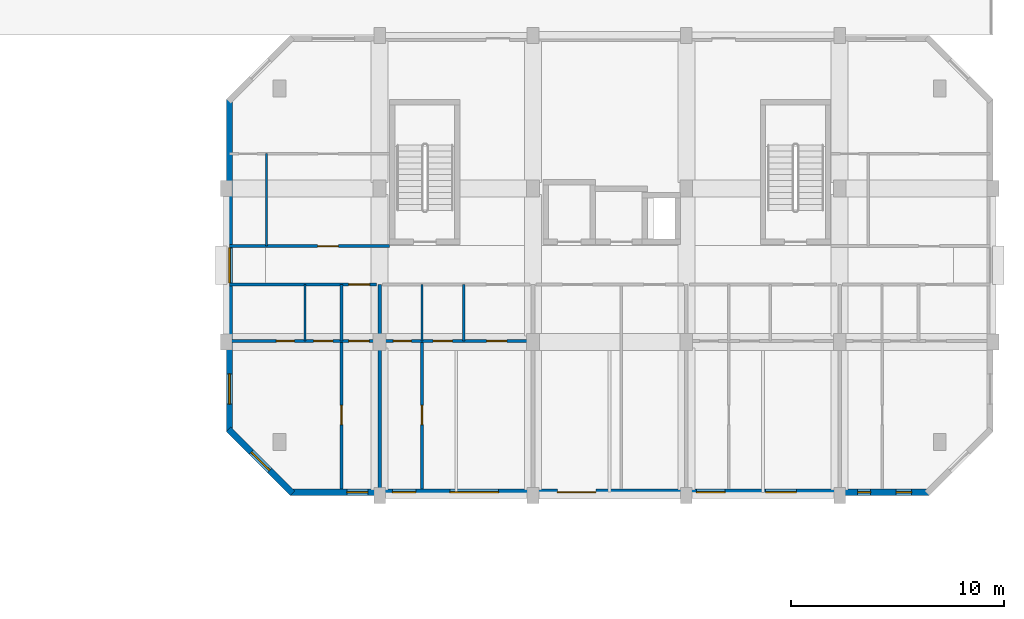
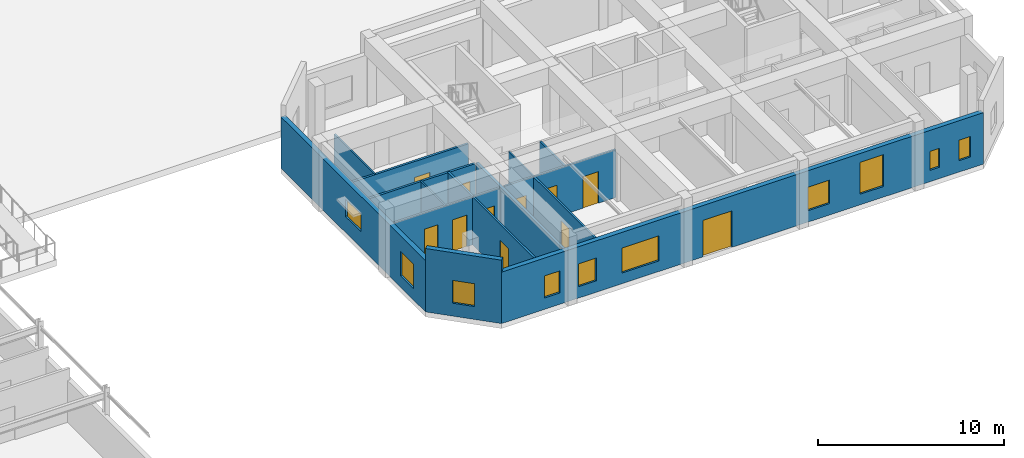
# One storey, part 65 of 85: 15 walls, 11 doors, 10 windows, 21 openings.
"""IFC4 building model written with IfcOpenShell, lengths in metres."""

from ifc_helpers import new_model, si_unit, direction, frame, frame_2d, origin, place, context, subcontext, project, spatial, rectangle, extrude, material, layer, layer_set, type_object, element, fill, save


model = new_model("IFC4")

# Units and contexts
model_context = context("Model", 3, precision=1e-05, world=origin(), true_north=direction((0.0, 1.0)))
body_context = subcontext(model_context, "Body", "Model", "MODEL_VIEW")
ifc_project = project(units=[si_unit("LENGTHUNIT", "METRE"), si_unit("AREAUNIT", "SQUARE_METRE"), si_unit("VOLUMEUNIT", "CUBIC_METRE"), si_unit("PLANEANGLEUNIT", "RADIAN"), si_unit("MASSUNIT", "GRAM", prefix="KILO")], contexts=[model_context])

# Site, building, storey
site_placement = place(None, origin())
site = spatial("IfcSite", under=ifc_project, at=site_placement, CompositionType="ELEMENT")
building_placement = place(site_placement, origin())
building = spatial("IfcBuilding", under=site, at=building_placement, Name="Ochrevale Crest", CompositionType="ELEMENT")
storey_placement = place(building_placement, origin())
storey = spatial("IfcBuildingStorey", under=building, at=storey_placement, Name="L00", CompositionType="ELEMENT", Elevation=0.0)

# Wall, opening, door
ifc_material_1 = material(Name="Gypsum plasterboard", Category="gypsum")
ifc_layer_1 = layer(ifc_material_1, 0.139892578125)
ifc_layer_set_1 = layer_set([ifc_layer_1], Name="Gypsum plasterboard")
wall_type_1 = type_object("IfcWallType", Name="WL-COR-140", PredefinedType="PARTITIONING", material=ifc_layer_set_1)
wall_1_placement = place(storey_placement, frame((129.739990234375, 24.300048828125, 0.0), z_axis=(0.0, 0.0, 1.0), x_axis=(1.0, 0.0, 0.0)))
wall_1 = element("IfcWall", 1, at=wall_1_placement, inside=storey, type_object=wall_type_1, Name="Apartment C-L00-U1 corridor wall", PredefinedType="PARTITIONING", context=body_context, shape_type="SweptSolid", body=[
    extrude(rectangle(XDim=6.919921875, YDim=0.139892578125, at=frame_2d((3.4599609375, 0.0))), origin(), (0.0, 0.0, 1.0), 3.14990234375),
])
opening_1_placement = place(wall_1_placement, frame((6.5849609375, 0.0, 0.0), z_axis=(0.0, 0.0, 1.0), x_axis=(-1.0, 0.0, 0.0)))
opening_1 = element("IfcOpeningElement", 2, at=opening_1_placement, cuts=wall_1, Name="Opening FD01", PredefinedType="OPENING", context=body_context, shape_type="SweptSolid", body=[
    extrude(rectangle(XDim=0.97998046875, YDim=2.10009765625, at=frame_2d((0.489990234375, 1.050048828125))), frame((0.0, 0.080078125, 0.0), z_axis=(0.0, -1.0, 0.0), x_axis=(1.0, 0.0, 0.0)), (0.0, 0.0, 1.0), 0.159912109375),
])
ifc_material_2 = material(Name="Solid-core FSC hardwood", Category="wood")
door_type_1 = type_object("IfcDoorType", Name="DR-APT-950", OperationType="NOTDEFINED", PredefinedType="DOOR", material=ifc_material_2)
door_1_placement = place(opening_1_placement, origin())
door_1 = element("IfcDoor", 3, at=door_1_placement, inside=storey, type_object=door_type_1, Name="Apartment C-L00-U1 entrance door", OperationType="SINGLE_SWING_RIGHT", OverallHeight=2.10009765625, OverallWidth=0.97998046875, PredefinedType="DOOR", context=body_context, shape_type="SweptSolid", body=[
    extrude(rectangle(XDim=0.97998046875, YDim=2.10009765625, at=frame_2d((0.489990234375, 1.050048828125))), frame((0.0, 0.02490234375, 0.0), z_axis=(0.0, -1.0, 0.0), x_axis=(1.0, 0.0, 0.0)), (0.0, 0.0, 1.0), 0.050048828125),
])
fill(opening_1, door_1)

wall_2_placement = place(storey_placement, frame((129.739990234375, 26.10009765625, 0.0), z_axis=(0.0, 0.0, 1.0), x_axis=(1.0, 0.0, 0.0)))
wall_2 = element("IfcWall", 4, at=wall_2_placement, inside=storey, type_object=wall_type_1, Name="Suite C-L00-CW corridor wall", PredefinedType="PARTITIONING", context=body_context, shape_type="SweptSolid", body=[
    extrude(rectangle(XDim=7.52001953125, YDim=0.139892578125, at=frame_2d((3.760009765625, 0.0))), origin(), (0.0, 0.0, 1.0), 3.14990234375),
])
opening_2_placement = place(wall_2_placement, frame((4.14501953125, 0.0, 0.0)))
opening_2 = element("IfcOpeningElement", 5, at=opening_2_placement, cuts=wall_2, Name="Opening FD01", PredefinedType="OPENING", context=body_context, shape_type="SweptSolid", body=[
    extrude(rectangle(XDim=0.97998046875, YDim=2.10009765625, at=frame_2d((0.489990234375, 1.050048828125))), frame((0.0, 0.080078125, 0.0), z_axis=(0.0, -1.0, 0.0), x_axis=(1.0, 0.0, 0.0)), (0.0, 0.0, 1.0), 0.159912109375),
])
door_2_placement = place(opening_2_placement, origin())
door_2 = element("IfcDoor", 6, at=door_2_placement, inside=storey, type_object=door_type_1, Name="Suite C-L00-CW entrance door", OperationType="SINGLE_SWING_LEFT", OverallHeight=2.10009765625, OverallWidth=0.97998046875, PredefinedType="DOOR", context=body_context, shape_type="SweptSolid", body=[
    extrude(rectangle(XDim=0.97998046875, YDim=2.10009765625, at=frame_2d((0.489990234375, 1.050048828125))), frame((0.0, 0.02490234375, 0.0), z_axis=(0.0, -1.0, 0.0), x_axis=(1.0, 0.0, 0.0)), (0.0, 0.0, 1.0), 0.050048828125),
])
fill(opening_2, door_2)

# Wall, openings, door, windows
ifc_material_3 = material(Name="Clay face brickwork", Category="masonry")
ifc_layer_2 = layer(ifc_material_3, 0.2900390625)
ifc_layer_set_2 = layer_set([ifc_layer_2], Name="Clay face brickwork")
wall_type_2 = type_object("IfcWallType", Name="WL-EXT-BRICK-290", PredefinedType="SOLIDWALL", material=ifc_layer_set_2)
wall_3_placement = place(storey_placement, frame((132.60009765625, 14.544921875, 0.0), z_axis=(0.0, 0.0, 1.0), x_axis=(1.0, 0.0, 0.0)))
wall_3 = element("IfcWall", 7, at=wall_3_placement, inside=storey, type_object=wall_type_2, Name="Block C L00 external facade wall E1", PredefinedType="SOLIDWALL", context=body_context, shape_type="SweptSolid", body=[
    extrude(rectangle(XDim=30.0, YDim=0.2900390625, at=frame_2d((15.0, 0.0))), origin(), (0.0, 0.0, 1.0), 3.3798828125),
])
opening_3_placement = place(wall_3_placement, frame((14.35009765625, 0.0, 0.0), z_axis=(0.0, 0.0, 1.0), x_axis=(-1.0, 0.0, 0.0)))
opening_3 = element("IfcOpeningElement", 8, at=opening_3_placement, cuts=wall_3, Name="Opening ED01", PredefinedType="OPENING", context=body_context, shape_type="SweptSolid", body=[
    extrude(rectangle(XDim=1.800048828125, YDim=2.39990234375, at=frame_2d((0.89990234375, 1.199951171875))), frame((0.0, 0.155029296875, 0.0), z_axis=(0.0, -1.0, 0.0), x_axis=(1.0, 0.0, 0.0)), (0.0, 0.0, 1.0), 0.31005859375),
])
opening_4_placement = place(wall_3_placement, frame((2.66259765625, 0.0, 0.75)))
opening_4 = element("IfcOpeningElement", 9, at=opening_4_placement, cuts=wall_3, Name="Opening W04", PredefinedType="OPENING", context=body_context, shape_type="SweptSolid", body=[
    extrude(rectangle(XDim=0.97998046875, YDim=1.449951171875, at=frame_2d((0.489990234375, 0.72509765625))), frame((0.0, 0.155029296875, 0.0), z_axis=(0.0, -1.0, 0.0), x_axis=(1.0, 0.0, 0.0)), (0.0, 0.0, 1.0), 0.31005859375),
])
opening_5_placement = place(wall_3_placement, frame((4.797607421875, 0.0, 0.75)))
opening_5 = element("IfcOpeningElement", 10, at=opening_5_placement, cuts=wall_3, Name="Opening W05", PredefinedType="OPENING", context=body_context, shape_type="SweptSolid", body=[
    extrude(rectangle(XDim=1.10009765625, YDim=1.5, at=frame_2d((0.550048828125, 0.75))), frame((0.0, 0.155029296875, 0.0), z_axis=(0.0, -1.0, 0.0), x_axis=(1.0, 0.0, 0.0)), (0.0, 0.0, 1.0), 0.31005859375),
])
opening_6_placement = place(wall_3_placement, frame((7.492431640625, 0.0, 0.699951171875)))
opening_6 = element("IfcOpeningElement", 11, at=opening_6_placement, cuts=wall_3, Name="Opening W14", PredefinedType="OPENING", context=body_context, shape_type="SweptSolid", body=[
    extrude(rectangle(XDim=2.300048828125, YDim=1.64990234375, at=frame_2d((1.14990234375, 0.824951171875))), frame((0.0, 0.155029296875, 0.0), z_axis=(0.0, -1.0, 0.0), x_axis=(1.0, 0.0, 0.0)), (0.0, 0.0, 1.0), 0.31005859375),
])
opening_7_placement = place(wall_3_placement, frame((19.077392578125, 0.0, 0.75)))
opening_7 = element("IfcOpeningElement", 12, at=opening_7_placement, cuts=wall_3, Name="Opening W07", PredefinedType="OPENING", context=body_context, shape_type="SweptSolid", body=[
    extrude(rectangle(XDim=1.340087890625, YDim=1.550048828125, at=frame_2d((0.669921875, 0.77490234375))), frame((0.0, 0.155029296875, 0.0), z_axis=(0.0, -1.0, 0.0), x_axis=(1.0, 0.0, 0.0)), (0.0, 0.0, 1.0), 0.31005859375),
])
opening_8_placement = place(wall_3_placement, frame((22.3173828125, 0.0, 0.699951171875)))
opening_8 = element("IfcOpeningElement", 13, at=opening_8_placement, cuts=wall_3, Name="Opening W24", PredefinedType="OPENING", context=body_context, shape_type="SweptSolid", body=[
    extrude(rectangle(XDim=1.449951171875, YDim=2.10009765625, at=frame_2d((0.72509765625, 1.050048828125))), frame((0.0, 0.155029296875, 0.0), z_axis=(0.0, -1.0, 0.0), x_axis=(1.0, 0.0, 0.0)), (0.0, 0.0, 1.0), 0.31005859375),
])
opening_9_placement = place(wall_3_placement, frame((26.6474609375, 0.0, 0.75)))
opening_9 = element("IfcOpeningElement", 14, at=opening_9_placement, cuts=wall_3, Name="Opening W01", PredefinedType="OPENING", context=body_context, shape_type="SweptSolid", body=[
    extrude(rectangle(XDim=0.60009765625, YDim=1.25, at=frame_2d((0.300048828125, 0.625))), frame((0.0, 0.155029296875, 0.0), z_axis=(0.0, -1.0, 0.0), x_axis=(1.0, 0.0, 0.0)), (0.0, 0.0, 1.0), 0.31005859375),
])
opening_10_placement = place(wall_3_placement, frame((28.455078125, 0.0, 0.75)))
opening_10 = element("IfcOpeningElement", 15, at=opening_10_placement, cuts=wall_3, Name="Opening W02", PredefinedType="OPENING", context=body_context, shape_type="SweptSolid", body=[
    extrude(rectangle(XDim=0.719970703125, YDim=1.35009765625, at=frame_2d((0.35986328125, 0.675048828125))), frame((0.0, 0.155029296875, 0.0), z_axis=(0.0, -1.0, 0.0), x_axis=(1.0, 0.0, 0.0)), (0.0, 0.0, 1.0), 0.31005859375),
])
ifc_material_4 = material(Name="Anodised aluminium 6063-T5 and toughened glass", Category="aluminium")
door_type_2 = type_object("IfcDoorType", Name="DR-EXT-1800", OperationType="NOTDEFINED", PredefinedType="DOOR", material=ifc_material_4)
door_3_placement = place(opening_3_placement, origin())
door_3 = element("IfcDoor", 16, at=door_3_placement, inside=storey, type_object=door_type_2, Name="Block C main ground entrance double door", OperationType="DOUBLE_DOOR_SINGLE_SWING", OverallHeight=2.39990234375, OverallWidth=1.800048828125, PredefinedType="DOOR", context=body_context, shape_type="SweptSolid", body=[
    extrude(rectangle(XDim=1.800048828125, YDim=2.39990234375, at=frame_2d((0.89990234375, 1.199951171875))), frame((0.0, 0.02490234375, 0.0), z_axis=(0.0, -1.0, 0.0), x_axis=(1.0, 0.0, 0.0)), (0.0, 0.0, 1.0), 0.050048828125),
])
fill(opening_3, door_3)
ifc_material_5 = material(Name="Anodised aluminium 6063-T5 and low-E double glazing", Category="aluminium")
window_type_1 = type_object("IfcWindowType", Name="WIN-W01", PartitioningType="SINGLE_PANEL", PredefinedType="WINDOW", material=ifc_material_5)
window_1_placement = place(opening_9_placement, origin())
window_1 = element("IfcWindow", 17, at=window_1_placement, inside=storey, type_object=window_type_1, Name="Block C L00 Apartment C-L00-U5 Master Bedroom window", OverallHeight=1.25, OverallWidth=0.60009765625, PartitioningType="SINGLE_PANEL", PredefinedType="WINDOW", context=body_context, shape_type="SweptSolid", body=[
    extrude(rectangle(XDim=0.60009765625, YDim=1.25, at=frame_2d((0.300048828125, 0.625))), frame((0.0, 0.030029296875, 0.0), z_axis=(0.0, -1.0, 0.0), x_axis=(1.0, 0.0, 0.0)), (0.0, 0.0, 1.0), 0.06005859375),
])
fill(opening_9, window_1)
window_type_2 = type_object("IfcWindowType", Name="WIN-W02", PartitioningType="SINGLE_PANEL", PredefinedType="WINDOW", material=ifc_material_5)
window_2_placement = place(opening_10_placement, origin())
window_2 = element("IfcWindow", 18, at=window_2_placement, inside=storey, type_object=window_type_2, Name="Block C L00 Apartment C-L00-U5 One Bedroom Living Room window", OverallHeight=1.35009765625, OverallWidth=0.719970703125, PartitioningType="SINGLE_PANEL", PredefinedType="WINDOW", context=body_context, shape_type="SweptSolid", body=[
    extrude(rectangle(XDim=0.719970703125, YDim=1.35009765625, at=frame_2d((0.35986328125, 0.675048828125))), frame((0.0, 0.030029296875, 0.0), z_axis=(0.0, -1.0, 0.0), x_axis=(1.0, 0.0, 0.0)), (0.0, 0.0, 1.0), 0.06005859375),
])
fill(opening_10, window_2)
window_type_3 = type_object("IfcWindowType", Name="WIN-W04", PartitioningType="SINGLE_PANEL", PredefinedType="WINDOW", material=ifc_material_5)
window_3_placement = place(opening_4_placement, origin())
window_3 = element("IfcWindow", 19, at=window_3_placement, inside=storey, type_object=window_type_3, Name="Block C L00 Apartment C-L00-U1 Two Bedroom Living Room window", OverallHeight=1.449951171875, OverallWidth=0.97998046875, PartitioningType="SINGLE_PANEL", PredefinedType="WINDOW", context=body_context, shape_type="SweptSolid", body=[
    extrude(rectangle(XDim=0.97998046875, YDim=1.449951171875, at=frame_2d((0.489990234375, 0.72509765625))), frame((0.0, 0.030029296875, 0.0), z_axis=(0.0, -1.0, 0.0), x_axis=(1.0, 0.0, 0.0)), (0.0, 0.0, 1.0), 0.06005859375),
])
fill(opening_4, window_3)
window_type_4 = type_object("IfcWindowType", Name="WIN-W05", PartitioningType="SINGLE_PANEL", PredefinedType="WINDOW", material=ifc_material_5)
window_4_placement = place(opening_5_placement, origin())
window_4 = element("IfcWindow", 20, at=window_4_placement, inside=storey, type_object=window_type_4, Name="Block C L00 Apartment C-L00-U2 Master Bedroom window", OverallHeight=1.5, OverallWidth=1.10009765625, PartitioningType="SINGLE_PANEL", PredefinedType="WINDOW", context=body_context, shape_type="SweptSolid", body=[
    extrude(rectangle(XDim=1.10009765625, YDim=1.5, at=frame_2d((0.550048828125, 0.75))), frame((0.0, 0.030029296875, 0.0), z_axis=(0.0, -1.0, 0.0), x_axis=(1.0, 0.0, 0.0)), (0.0, 0.0, 1.0), 0.06005859375),
])
fill(opening_5, window_4)
window_type_5 = type_object("IfcWindowType", Name="WIN-W07", PartitioningType="SINGLE_PANEL", PredefinedType="WINDOW", material=ifc_material_5)
window_5_placement = place(opening_7_placement, origin())
window_5 = element("IfcWindow", 21, at=window_5_placement, inside=storey, type_object=window_type_5, Name="Block C L00 Apartment C-L00-U4 Double Bedroom window", OverallHeight=1.550048828125, OverallWidth=1.340087890625, PartitioningType="SINGLE_PANEL", PredefinedType="WINDOW", context=body_context, shape_type="SweptSolid", body=[
    extrude(rectangle(XDim=1.340087890625, YDim=1.550048828125, at=frame_2d((0.669921875, 0.77490234375))), frame((0.0, 0.030029296875, 0.0), z_axis=(0.0, -1.0, 0.0), x_axis=(1.0, 0.0, 0.0)), (0.0, 0.0, 1.0), 0.06005859375),
])
fill(opening_7, window_5)
window_type_6 = type_object("IfcWindowType", Name="WIN-W14", PartitioningType="SINGLE_PANEL", PredefinedType="WINDOW", material=ifc_material_5)
window_6_placement = place(opening_6_placement, origin())
window_6 = element("IfcWindow", 22, at=window_6_placement, inside=storey, type_object=window_type_6, Name="Block C L00 Apartment C-L00-U2 One Bedroom Living Room window", OverallHeight=1.64990234375, OverallWidth=2.300048828125, PartitioningType="SINGLE_PANEL", PredefinedType="WINDOW", context=body_context, shape_type="SweptSolid", body=[
    extrude(rectangle(XDim=2.300048828125, YDim=1.64990234375, at=frame_2d((1.14990234375, 0.824951171875))), frame((0.0, 0.030029296875, 0.0), z_axis=(0.0, -1.0, 0.0), x_axis=(1.0, 0.0, 0.0)), (0.0, 0.0, 1.0), 0.06005859375),
])
fill(opening_6, window_6)
window_type_7 = type_object("IfcWindowType", Name="WIN-W24", PartitioningType="SINGLE_PANEL", PredefinedType="WINDOW", material=ifc_material_5)
window_7_placement = place(opening_8_placement, origin())
window_7 = element("IfcWindow", 23, at=window_7_placement, inside=storey, type_object=window_type_7, Name="Block C L00 Apartment C-L00-U4 Two Bedroom Living Room window", OverallHeight=2.10009765625, OverallWidth=1.449951171875, PartitioningType="SINGLE_PANEL", PredefinedType="WINDOW", context=body_context, shape_type="SweptSolid", body=[
    extrude(rectangle(XDim=1.449951171875, YDim=2.10009765625, at=frame_2d((0.72509765625, 1.050048828125))), frame((0.0, 0.030029296875, 0.0), z_axis=(0.0, -1.0, 0.0), x_axis=(1.0, 0.0, 0.0)), (0.0, 0.0, 1.0), 0.06005859375),
])
fill(opening_8, window_7)

# Wall, openings, windows
wall_4_placement = place(storey_placement, frame((129.7451171875, 33.0, 0.0), z_axis=(0.0, 0.0, 1.0), x_axis=(0.0, -1.0, 0.0)))
wall_4 = element("IfcWall", 24, at=wall_4_placement, inside=storey, type_object=wall_type_2, Name="Block C L00 external facade wall E7", PredefinedType="SOLIDWALL", context=body_context, shape_type="SweptSolid", body=[
    extrude(rectangle(XDim=15.60009765625, YDim=0.2900390625, at=frame_2d((7.800048828125, 0.0))), origin(), (0.0, 0.0, 1.0), 3.3798828125),
])
opening_11_placement = place(wall_4_placement, frame((6.97509765625, 0.0, 1.050048828125)))
opening_11 = element("IfcOpeningElement", 25, at=opening_11_placement, cuts=wall_4, Name="Opening W19", PredefinedType="OPENING", context=body_context, shape_type="SweptSolid", body=[
    extrude(rectangle(XDim=1.64990234375, YDim=1.14990234375, at=frame_2d((0.824951171875, 0.574951171875))), frame((0.0, 0.155029296875, 0.0), z_axis=(0.0, -1.0, 0.0), x_axis=(1.0, 0.0, 0.0)), (0.0, 0.0, 1.0), 0.31005859375),
])
opening_12_placement = place(wall_4_placement, frame((12.892578125, 0.0, 0.75)))
opening_12 = element("IfcOpeningElement", 26, at=opening_12_placement, cuts=wall_4, Name="Opening W31", PredefinedType="OPENING", context=body_context, shape_type="SweptSolid", body=[
    extrude(rectangle(XDim=1.419921875, YDim=1.60009765625, at=frame_2d((0.7099609375, 0.800048828125))), frame((0.0, 0.155029296875, 0.0), z_axis=(0.0, -1.0, 0.0), x_axis=(1.0, 0.0, 0.0)), (0.0, 0.0, 1.0), 0.31005859375),
])
window_type_8 = type_object("IfcWindowType", Name="WIN-W19", PartitioningType="SINGLE_PANEL", PredefinedType="WINDOW", material=ifc_material_5)
window_8_placement = place(opening_11_placement, origin())
window_8 = element("IfcWindow", 27, at=window_8_placement, inside=storey, type_object=window_type_8, Name="Block C L00 corridor end daylight window W", OverallHeight=1.14990234375, OverallWidth=1.64990234375, PartitioningType="SINGLE_PANEL", PredefinedType="WINDOW", context=body_context, shape_type="SweptSolid", body=[
    extrude(rectangle(XDim=1.64990234375, YDim=1.14990234375, at=frame_2d((0.824951171875, 0.574951171875))), frame((0.0, 0.030029296875, 0.0), z_axis=(0.0, -1.0, 0.0), x_axis=(1.0, 0.0, 0.0)), (0.0, 0.0, 1.0), 0.06005859375),
])
fill(opening_11, window_8)
window_type_9 = type_object("IfcWindowType", Name="WIN-W31", PartitioningType="SINGLE_PANEL", PredefinedType="WINDOW", material=ifc_material_5)
window_9_placement = place(opening_12_placement, origin())
window_9 = element("IfcWindow", 28, at=window_9_placement, inside=storey, type_object=window_type_9, Name="Block C L00 side suite window W", OverallHeight=1.60009765625, OverallWidth=1.419921875, PartitioningType="SINGLE_PANEL", PredefinedType="WINDOW", context=body_context, shape_type="SweptSolid", body=[
    extrude(rectangle(XDim=1.419921875, YDim=1.60009765625, at=frame_2d((0.7099609375, 0.800048828125))), frame((0.0, 0.030029296875, 0.0), z_axis=(0.0, -1.0, 0.0), x_axis=(1.0, 0.0, 0.0)), (0.0, 0.0, 1.0), 0.06005859375),
])
fill(opening_12, window_9)

# Wall, opening, window
wall_5_placement = place(storey_placement, frame((129.702392578125, 17.50244140625, 0.0), z_axis=(0.0, 0.0, 1.0), x_axis=(0.707106781187, -0.707106781187, 0.0)))
wall_5 = element("IfcWall", 29, at=wall_5_placement, inside=storey, type_object=wall_type_2, Name="Block C L00 external facade wall E8", PredefinedType="SOLIDWALL", context=body_context, shape_type="SweptSolid", body=[
    extrude(rectangle(XDim=4.24267578125, YDim=0.2900390625, at=frame_2d((2.121337890625, 0.0))), origin(), (0.0, 0.0, 1.0), 4.175048828125),
])
opening_13_placement = place(wall_5_placement, frame((1.51123046875, 0.0, 0.85009765625)))
opening_13 = element("IfcOpeningElement", 30, at=opening_13_placement, cuts=wall_5, Name="Opening W06", PredefinedType="OPENING", context=body_context, shape_type="SweptSolid", body=[
    extrude(rectangle(XDim=1.219970703125, YDim=1.5, at=frame_2d((0.60986328125, 0.75))), frame((0.0, 0.155029296875, 0.0), z_axis=(0.0, -1.0, 0.0), x_axis=(1.0, 0.0, 0.0)), (0.0, 0.0, 1.0), 0.31005859375),
])
window_type_10 = type_object("IfcWindowType", Name="WIN-W06", PartitioningType="SINGLE_PANEL", PredefinedType="WINDOW", material=ifc_material_5)
window_10_placement = place(opening_13_placement, origin())
window_10 = element("IfcWindow", 31, at=window_10_placement, inside=storey, type_object=window_type_10, Name="Block C L00 corner room casement window 8", OverallHeight=1.5, OverallWidth=1.219970703125, PartitioningType="SINGLE_PANEL", PredefinedType="WINDOW", context=body_context, shape_type="SweptSolid", body=[
    extrude(rectangle(XDim=1.219970703125, YDim=1.5, at=frame_2d((0.60986328125, 0.75))), frame((0.0, 0.030029296875, 0.0), z_axis=(0.0, -1.0, 0.0), x_axis=(1.0, 0.0, 0.0)), (0.0, 0.0, 1.0), 0.06005859375),
])
fill(opening_13, window_10)

# Wall
ifc_layer_3 = layer(ifc_material_1, 0.1201171875)
ifc_layer_set_3 = layer_set([ifc_layer_3], Name="Gypsum plasterboard")
wall_type_3 = type_object("IfcWallType", Name="WL-PART-120", PredefinedType="PARTITIONING", material=ifc_layer_set_3)
wall_6_placement = place(storey_placement, frame((135.010009765625, 21.64990234375, 0.0), z_axis=(0.0, 0.0, 1.0), x_axis=(0.0, 1.0, 0.0)))
element("IfcWall", 32, at=wall_6_placement, inside=storey, type_object=wall_type_3, Name="Apartment C-L00-U1 kitchen-foyer wall", PredefinedType="PARTITIONING", context=body_context, shape_type="SweptSolid", body=[
    extrude(rectangle(XDim=2.650146484375, YDim=0.1201171875, at=frame_2d((1.3251953125, 0.0))), origin(), (0.0, 0.0, 1.0), 3.14990234375),
])

# Wall, openings, doors
wall_7_placement = place(storey_placement, frame((129.739990234375, 21.64990234375, 0.0), z_axis=(0.0, 0.0, 1.0), x_axis=(1.0, 0.0, 0.0)))
wall_7 = element("IfcWall", 33, at=wall_7_placement, inside=storey, type_object=wall_type_3, Name="Apartment C-L00-U1 central partition", PredefinedType="PARTITIONING", context=body_context, shape_type="SweptSolid", body=[
    extrude(rectangle(XDim=6.919921875, YDim=0.1201171875, at=frame_2d((3.4599609375, 0.0))), origin(), (0.0, 0.0, 1.0), 3.14990234375),
])
opening_14_placement = place(wall_7_placement, frame((2.2099609375, 0.0, 0.0)))
opening_14 = element("IfcOpeningElement", 34, at=opening_14_placement, cuts=wall_7, Name="Opening ID01", PredefinedType="OPENING", context=body_context, shape_type="SweptSolid", body=[
    extrude(rectangle(XDim=0.85009765625, YDim=2.080078125, at=frame_2d((0.425048828125, 1.0400390625))), frame((0.0, 0.070068359375, 0.0), z_axis=(0.0, -1.0, 0.0), x_axis=(1.0, 0.0, 0.0)), (0.0, 0.0, 1.0), 0.14013671875),
])
opening_15_placement = place(wall_7_placement, frame((4.864990234375, 0.0, 0.0), z_axis=(0.0, 0.0, 1.0), x_axis=(-1.0, 0.0, 0.0)))
opening_15 = element("IfcOpeningElement", 35, at=opening_15_placement, cuts=wall_7, Name="Opening ID02", PredefinedType="OPENING", context=body_context, shape_type="SweptSolid", body=[
    extrude(rectangle(XDim=0.89990234375, YDim=2.080078125, at=frame_2d((0.449951171875, 1.0400390625))), frame((0.0, 0.070068359375, 0.0), z_axis=(0.0, -1.0, 0.0), x_axis=(1.0, 0.0, 0.0)), (0.0, 0.0, 1.0), 0.14013671875),
])
opening_16_placement = place(wall_7_placement, frame((5.6201171875, 0.0, 0.0)))
opening_16 = element("IfcOpeningElement", 36, at=opening_16_placement, cuts=wall_7, Name="Opening ID06", PredefinedType="OPENING", context=body_context, shape_type="SweptSolid", body=[
    extrude(rectangle(XDim=0.949951171875, YDim=2.080078125, at=frame_2d((0.47509765625, 1.0400390625))), frame((0.0, 0.070068359375, 0.0), z_axis=(0.0, -1.0, 0.0), x_axis=(1.0, 0.0, 0.0)), (0.0, 0.0, 1.0), 0.14013671875),
])
door_type_3 = type_object("IfcDoorType", Name="DR-INT-900", OperationType="NOTDEFINED", PredefinedType="DOOR", material=ifc_material_2)
door_4_placement = place(opening_15_placement, origin())
door_4 = element("IfcDoor", 37, at=door_4_placement, inside=storey, type_object=door_type_3, Name="Apartment C-L00-U1 Kitchen door", OperationType="SINGLE_SWING_RIGHT", OverallHeight=2.080078125, OverallWidth=0.89990234375, PredefinedType="DOOR", context=body_context, shape_type="SweptSolid", body=[
    extrude(rectangle(XDim=0.89990234375, YDim=2.080078125, at=frame_2d((0.449951171875, 1.0400390625))), frame((0.0, 0.02490234375, 0.0), z_axis=(0.0, -1.0, 0.0), x_axis=(1.0, 0.0, 0.0)), (0.0, 0.0, 1.0), 0.050048828125),
])
fill(opening_15, door_4)
door_type_4 = type_object("IfcDoorType", Name="DR-INT-950", OperationType="NOTDEFINED", PredefinedType="DOOR", material=ifc_material_2)
door_5_placement = place(opening_16_placement, origin())
door_5 = element("IfcDoor", 38, at=door_5_placement, inside=storey, type_object=door_type_4, Name="Apartment C-L00-U1 Living Foyer door", OperationType="SINGLE_SWING_LEFT", OverallHeight=2.080078125, OverallWidth=0.949951171875, PredefinedType="DOOR", context=body_context, shape_type="SweptSolid", body=[
    extrude(rectangle(XDim=0.949951171875, YDim=2.080078125, at=frame_2d((0.47509765625, 1.0400390625))), frame((0.0, 0.02490234375, 0.0), z_axis=(0.0, -1.0, 0.0), x_axis=(1.0, 0.0, 0.0)), (0.0, 0.0, 1.0), 0.050048828125),
])
fill(opening_16, door_5)
door_type_5 = type_object("IfcDoorType", Name="DR-WC-850", OperationType="NOTDEFINED", PredefinedType="DOOR", material=ifc_material_2)
door_6_placement = place(opening_14_placement, origin())
door_6 = element("IfcDoor", 39, at=door_6_placement, inside=storey, type_object=door_type_5, Name="Apartment C-L00-U1 Bathroom door", OperationType="SINGLE_SWING_LEFT", OverallHeight=2.080078125, OverallWidth=0.85009765625, PredefinedType="DOOR", context=body_context, shape_type="SweptSolid", body=[
    extrude(rectangle(XDim=0.85009765625, YDim=2.080078125, at=frame_2d((0.425048828125, 1.0400390625))), frame((0.0, 0.02490234375, 0.0), z_axis=(0.0, -1.0, 0.0), x_axis=(1.0, 0.0, 0.0)), (0.0, 0.0, 1.0), 0.050048828125),
])
fill(opening_14, door_6)

# Wall, opening, door
wall_8_placement = place(storey_placement, frame((135.010009765625, 14.699951171875, 0.0), z_axis=(0.0, 0.0, 1.0), x_axis=(0.0, 1.0, 0.0)))
wall_8 = element("IfcWall", 40, at=wall_8_placement, inside=storey, type_object=wall_type_3, Name="Apartment C-L00-U1 bedroom partition", PredefinedType="PARTITIONING", context=body_context, shape_type="SweptSolid", body=[
    extrude(rectangle(XDim=6.949951171875, YDim=0.1201171875, at=frame_2d((3.47509765625, 0.0))), origin(), (0.0, 0.0, 1.0), 3.14990234375),
])
opening_17_placement = place(wall_8_placement, frame((3.9248046875, 0.0, 0.0), z_axis=(0.0, 0.0, 1.0), x_axis=(-1.0, 0.0, 0.0)))
opening_17 = element("IfcOpeningElement", 41, at=opening_17_placement, cuts=wall_8, Name="Opening ID02", PredefinedType="OPENING", context=body_context, shape_type="SweptSolid", body=[
    extrude(rectangle(XDim=0.89990234375, YDim=2.080078125, at=frame_2d((0.449951171875, 1.0400390625))), frame((0.0, 0.070068359375, 0.0), z_axis=(0.0, -1.0, 0.0), x_axis=(1.0, 0.0, 0.0)), (0.0, 0.0, 1.0), 0.14013671875),
])
door_7_placement = place(opening_17_placement, origin())
door_7 = element("IfcDoor", 42, at=door_7_placement, inside=storey, type_object=door_type_3, Name="Apartment C-L00-U1 Double Bedroom door", OperationType="SINGLE_SWING_RIGHT", OverallHeight=2.080078125, OverallWidth=0.89990234375, PredefinedType="DOOR", context=body_context, shape_type="SweptSolid", body=[
    extrude(rectangle(XDim=0.89990234375, YDim=2.080078125, at=frame_2d((0.449951171875, 1.0400390625))), frame((0.0, 0.02490234375, 0.0), z_axis=(0.0, -1.0, 0.0), x_axis=(1.0, 0.0, 0.0)), (0.0, 0.0, 1.0), 0.050048828125),
])
fill(opening_17, door_7)

# Wall
wall_9_placement = place(storey_placement, frame((140.739990234375, 21.64990234375, 0.0), z_axis=(0.0, 0.0, 1.0), x_axis=(0.0, 1.0, 0.0)))
element("IfcWall", 43, at=wall_9_placement, inside=storey, type_object=wall_type_3, Name="Apartment C-L00-U2 kitchen-foyer wall", PredefinedType="PARTITIONING", context=body_context, shape_type="SweptSolid", body=[
    extrude(rectangle(XDim=2.650146484375, YDim=0.1201171875, at=frame_2d((1.3251953125, 0.0))), origin(), (0.0, 0.0, 1.0), 3.14990234375),
])

# Wall, openings, doors
wall_10_placement = place(storey_placement, frame((136.93994140625, 21.64990234375, 0.0), z_axis=(0.0, 0.0, 1.0), x_axis=(1.0, 0.0, 0.0)))
wall_10 = element("IfcWall", 44, at=wall_10_placement, inside=storey, type_object=wall_type_3, Name="Apartment C-L00-U2 central partition", PredefinedType="PARTITIONING", context=body_context, shape_type="SweptSolid", body=[
    extrude(rectangle(XDim=6.920166015625, YDim=0.1201171875, at=frame_2d((3.4599609375, 0.0))), origin(), (0.0, 0.0, 1.0), 3.14990234375),
])
opening_18_placement = place(wall_10_placement, frame((1.35009765625, 0.0, 0.0), z_axis=(0.0, 0.0, 1.0), x_axis=(-1.0, 0.0, 0.0)))
opening_18 = element("IfcOpeningElement", 45, at=opening_18_placement, cuts=wall_10, Name="Opening ID01", PredefinedType="OPENING", context=body_context, shape_type="SweptSolid", body=[
    extrude(rectangle(XDim=0.85009765625, YDim=2.080078125, at=frame_2d((0.425048828125, 1.0400390625))), frame((0.0, 0.070068359375, 0.0), z_axis=(0.0, -1.0, 0.0), x_axis=(1.0, 0.0, 0.0)), (0.0, 0.0, 1.0), 0.14013671875),
])
opening_19_placement = place(wall_10_placement, frame((2.375, 0.0, 0.0)))
opening_19 = element("IfcOpeningElement", 46, at=opening_19_placement, cuts=wall_10, Name="Opening ID02", PredefinedType="OPENING", context=body_context, shape_type="SweptSolid", body=[
    extrude(rectangle(XDim=0.89990234375, YDim=2.080078125, at=frame_2d((0.449951171875, 1.0400390625))), frame((0.0, 0.070068359375, 0.0), z_axis=(0.0, -1.0, 0.0), x_axis=(1.0, 0.0, 0.0)), (0.0, 0.0, 1.0), 0.14013671875),
])
opening_20_placement = place(wall_10_placement, frame((5.8349609375, 0.0, 0.0), z_axis=(0.0, 0.0, 1.0), x_axis=(-1.0, 0.0, 0.0)))
opening_20 = element("IfcOpeningElement", 47, at=opening_20_placement, cuts=wall_10, Name="Opening ID06", PredefinedType="OPENING", context=body_context, shape_type="SweptSolid", body=[
    extrude(rectangle(XDim=0.949951171875, YDim=2.080078125, at=frame_2d((0.47509765625, 1.0400390625))), frame((0.0, 0.070068359375, 0.0), z_axis=(0.0, -1.0, 0.0), x_axis=(1.0, 0.0, 0.0)), (0.0, 0.0, 1.0), 0.14013671875),
])
door_8_placement = place(opening_19_placement, origin())
door_8 = element("IfcDoor", 48, at=door_8_placement, inside=storey, type_object=door_type_3, Name="Apartment C-L00-U2 Kitchen door", OperationType="SINGLE_SWING_LEFT", OverallHeight=2.080078125, OverallWidth=0.89990234375, PredefinedType="DOOR", context=body_context, shape_type="SweptSolid", body=[
    extrude(rectangle(XDim=0.89990234375, YDim=2.080078125, at=frame_2d((0.449951171875, 1.0400390625))), frame((0.0, 0.02490234375, 0.0), z_axis=(0.0, -1.0, 0.0), x_axis=(1.0, 0.0, 0.0)), (0.0, 0.0, 1.0), 0.050048828125),
])
fill(opening_19, door_8)
door_9_placement = place(opening_20_placement, origin())
door_9 = element("IfcDoor", 49, at=door_9_placement, inside=storey, type_object=door_type_4, Name="Apartment C-L00-U2 Living Foyer door", OperationType="SINGLE_SWING_RIGHT", OverallHeight=2.080078125, OverallWidth=0.949951171875, PredefinedType="DOOR", context=body_context, shape_type="SweptSolid", body=[
    extrude(rectangle(XDim=0.949951171875, YDim=2.080078125, at=frame_2d((0.47509765625, 1.0400390625))), frame((0.0, 0.02490234375, 0.0), z_axis=(0.0, -1.0, 0.0), x_axis=(1.0, 0.0, 0.0)), (0.0, 0.0, 1.0), 0.050048828125),
])
fill(opening_20, door_9)
door_10_placement = place(opening_18_placement, origin())
door_10 = element("IfcDoor", 50, at=door_10_placement, inside=storey, type_object=door_type_5, Name="Apartment C-L00-U2 Bathroom door", OperationType="SINGLE_SWING_RIGHT", OverallHeight=2.080078125, OverallWidth=0.85009765625, PredefinedType="DOOR", context=body_context, shape_type="SweptSolid", body=[
    extrude(rectangle(XDim=0.85009765625, YDim=2.080078125, at=frame_2d((0.425048828125, 1.0400390625))), frame((0.0, 0.02490234375, 0.0), z_axis=(0.0, -1.0, 0.0), x_axis=(1.0, 0.0, 0.0)), (0.0, 0.0, 1.0), 0.050048828125),
])
fill(opening_18, door_10)

# Wall, opening, door
wall_11_placement = place(storey_placement, frame((138.7900390625, 14.699951171875, 0.0), z_axis=(0.0, 0.0, 1.0), x_axis=(0.0, 1.0, 0.0)))
wall_11 = element("IfcWall", 51, at=wall_11_placement, inside=storey, type_object=wall_type_3, Name="Apartment C-L00-U2 bedroom partition", PredefinedType="PARTITIONING", context=body_context, shape_type="SweptSolid", body=[
    extrude(rectangle(XDim=6.949951171875, YDim=0.1201171875, at=frame_2d((3.47509765625, 0.0))), origin(), (0.0, 0.0, 1.0), 3.14990234375),
])
opening_21_placement = place(wall_11_placement, frame((3.02490234375, 0.0, 0.0)))
opening_21 = element("IfcOpeningElement", 52, at=opening_21_placement, cuts=wall_11, Name="Opening ID02", PredefinedType="OPENING", context=body_context, shape_type="SweptSolid", body=[
    extrude(rectangle(XDim=0.89990234375, YDim=2.080078125, at=frame_2d((0.449951171875, 1.0400390625))), frame((0.0, 0.070068359375, 0.0), z_axis=(0.0, -1.0, 0.0), x_axis=(1.0, 0.0, 0.0)), (0.0, 0.0, 1.0), 0.14013671875),
])
door_11_placement = place(opening_21_placement, origin())
door_11 = element("IfcDoor", 53, at=door_11_placement, inside=storey, type_object=door_type_3, Name="Apartment C-L00-U2 Master Bedroom door", OperationType="SINGLE_SWING_LEFT", OverallHeight=2.080078125, OverallWidth=0.89990234375, PredefinedType="DOOR", context=body_context, shape_type="SweptSolid", body=[
    extrude(rectangle(XDim=0.89990234375, YDim=2.080078125, at=frame_2d((0.449951171875, 1.0400390625))), frame((0.0, 0.02490234375, 0.0), z_axis=(0.0, -1.0, 0.0), x_axis=(1.0, 0.0, 0.0)), (0.0, 0.0, 1.0), 0.050048828125),
])
fill(opening_21, door_11)

# Walls
ifc_layer_4 = layer(ifc_material_1, 0.169921875)
ifc_layer_set_4 = layer_set([ifc_layer_4], Name="Gypsum plasterboard")
wall_type_4 = type_object("IfcWallType", Name="WL-TEN-170", PredefinedType="PARTITIONING", material=ifc_layer_set_4)
wall_12_placement = place(storey_placement, frame((136.800048828125, 14.699951171875, 0.0), z_axis=(0.0, 0.0, 1.0), x_axis=(0.0, 1.0, 0.0)))
element("IfcWall", 54, at=wall_12_placement, inside=storey, type_object=wall_type_4, Name="Block C L00 inter-tenancy wall 1", PredefinedType="PARTITIONING", context=body_context, shape_type="SweptSolid", body=[
    extrude(rectangle(XDim=9.60009765625, YDim=0.169921875, at=frame_2d((4.800048828125, 0.0))), origin(), (0.0, 0.0, 1.0), 3.14990234375),
])
ifc_layer_5 = layer(ifc_material_1, 0.10009765625)
ifc_layer_set_5 = layer_set([ifc_layer_5], Name="Gypsum plasterboard")
wall_type_5 = type_object("IfcWallType", Name="WL-WET-100", PredefinedType="PARTITIONING", material=ifc_layer_set_5)
for number, where, z_axis, x_axis, name in (
    (55, (133.300048828125, 21.64990234375, 0.0), (0.0, 0.0, 1.0), (0.0, 1.0, 0.0), "Apartment C-L00-U1 bath-kitchen wall"),
    (56, (138.7900390625, 21.64990234375, 0.0), (0.0, 0.0, 1.0), (0.0, 1.0, 0.0), "Apartment C-L00-U2 bath-kitchen wall"),
):
    element("IfcWall", number, at=place(storey_placement, frame(where, z_axis=z_axis, x_axis=x_axis)), inside=storey, type_object=wall_type_5, Name=name, PredefinedType="PARTITIONING", context=body_context, shape_type="SweptSolid", body=[
        extrude(rectangle(XDim=2.650146484375, YDim=0.10009765625, at=frame_2d((1.3251953125, 0.0))), origin(), (0.0, 0.0, 1.0), 3.14990234375),
    ])
wall_13_placement = place(storey_placement, frame((131.489990234375, 26.10009765625, 0.0), z_axis=(0.0, 0.0, 1.0), x_axis=(0.0, 1.0, 0.0)))
element("IfcWall", 57, at=wall_13_placement, inside=storey, type_object=wall_type_5, Name="Suite C-L00-CW bathroom divider", PredefinedType="PARTITIONING", context=body_context, shape_type="SweptSolid", body=[
    extrude(rectangle(XDim=4.349853515625, YDim=0.10009765625, at=frame_2d((2.1748046875, 0.0))), origin(), (0.0, 0.0, 1.0), 3.14990234375),
])

save(model, "model.ifc")
